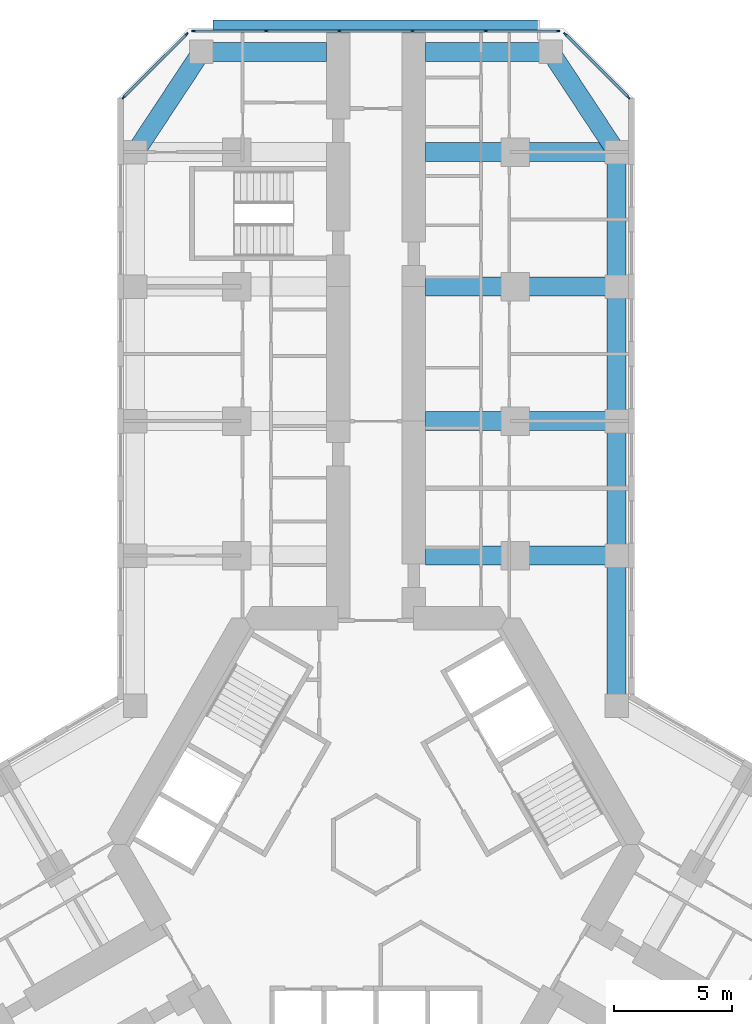
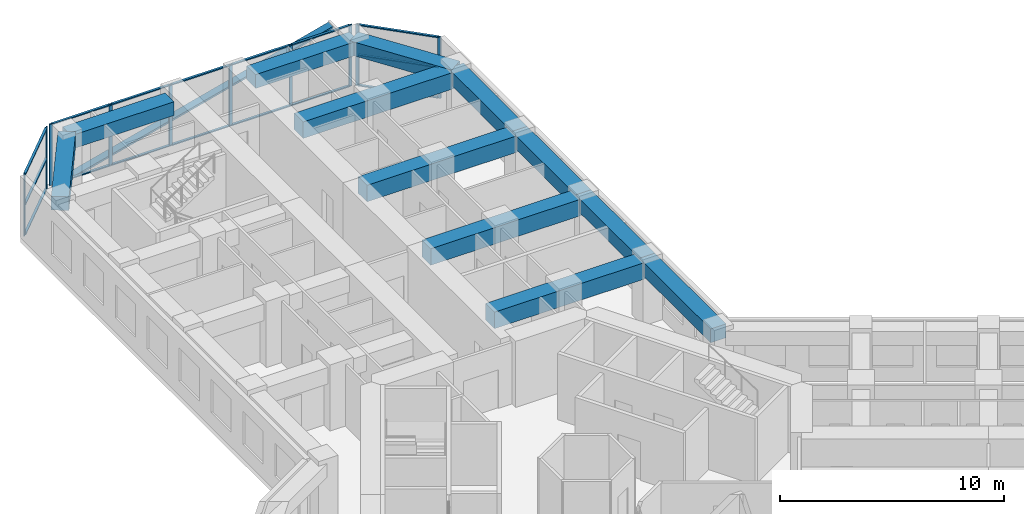
# One storey, part 7 of 21: 27 members, 12 beams, 3 elements without a shape of their own.
"""IFC4 building model written with IfcOpenShell, lengths in metres."""

from ifc_helpers import new_model, si_unit, direction, frame, origin, origin_2d, place, context, subcontext, project, spatial, rectangle, extrude, material, material_profile, profile_set, type_object, element, aggregate, save


model = new_model("IFC4")

# Units and contexts
model_context = context("Model", 3, precision=1e-05, world=origin(), true_north=direction((0.0, 1.0)))
body_context = subcontext(model_context, "Body", "Model", "MODEL_VIEW")
ifc_project = project(units=[si_unit("LENGTHUNIT", "METRE"), si_unit("AREAUNIT", "SQUARE_METRE"), si_unit("VOLUMEUNIT", "CUBIC_METRE"), si_unit("PLANEANGLEUNIT", "RADIAN"), si_unit("MASSUNIT", "GRAM", prefix="KILO")], contexts=[model_context])

# Site, building, storey
site_placement = place(None, origin())
site = spatial("IfcSite", under=ifc_project, at=site_placement, CompositionType="ELEMENT")
building_placement = place(site_placement, origin())
building = spatial("IfcBuilding", under=site, at=building_placement, Name="Kosmar Iwan School Tower", CompositionType="ELEMENT")
storey_placement = place(building_placement, frame((0.0, 0.0, 57.39990234375)))
storey = spatial("IfcBuildingStorey", under=building, at=storey_placement, Name="L13", CompositionType="ELEMENT", Elevation=57.39990234375)

# Member
ifc_material_1 = material(Name="Black anodised aluminium", Category="aluminium")
ifc_material_profile_1 = material_profile(ifc_material_1, rectangle(XDim=0.10009765625, YDim=0.39990234375, at=origin_2d()), Name="FIN 100x400")
ifc_profile_set_1 = profile_set([ifc_material_profile_1], Name="Black anodised aluminium")
member_type_1 = type_object("IfcMemberType", Name="Diagonal fin 100x400", PredefinedType="USERDEFINED", material=ifc_profile_set_1)
member_1_placement = place(storey_placement, frame((-6.898193359375, 34.75, -0.14990234375), z_axis=(0.967599450335, 0.0, 0.252490205179), x_axis=(-0.252490205179, 0.0, 0.967599450335)))
element("IfcMember", 1, at=member_1_placement, inside=storey, type_object=member_type_1, Name="Diagonal fin L13-F08", ObjectType="FIN", PredefinedType="USERDEFINED", context=body_context, shape_type="SweptSolid", body=[
    extrude(rectangle(XDim=0.10009765625, YDim=0.39990234375, at=origin_2d()), origin(), (0.0, 0.0, 1.0), 14.25830078125),
])

# Curtain wall, members
ifc_material_2 = material(Name="Dark glass in black aluminium frame", Category="aluminium")
curtain_wall_type_1 = type_object("IfcCurtainWallType", Name="Chamfer curtain wall dark glass", PredefinedType="USERDEFINED", material=ifc_material_2)
curtain_wall_1_placement = place(storey_placement, origin())
curtain_wall_1 = element("IfcCurtainWall", 2, at=curtain_wall_1_placement, inside=storey, type_object=curtain_wall_type_1, Name="Curtain wall L13-F07", ObjectType="FACETED CURTAIN WALL", PredefinedType="USERDEFINED")
ifc_material_3 = material(Name="Black anodised aluminium", Category="aluminium")
ifc_material_profile_2 = material_profile(ifc_material_3, rectangle(XDim=0.06005859375, YDim=0.159912109375, at=origin_2d()), Name="MULLION 60x160")
ifc_profile_set_2 = profile_set([ifc_material_profile_2], Name="Black anodised aluminium")
member_type_2 = type_object("IfcMemberType", Name="Mullion 60x160", PredefinedType="MULLION", material=ifc_profile_set_2)
member_2_placement = place(storey_placement, frame((10.69775390625, 31.675537109375, 0.0), z_axis=(0.0, 0.0, 1.0), x_axis=(-0.707106781187, -0.707106781187, 0.0)))
member_2 = element("IfcMember", 3, at=member_2_placement, type_object=member_type_2, Name="CW2 mullion 1", PredefinedType="MULLION", context=body_context, shape_type="SweptSolid", body=[
    extrude(rectangle(XDim=0.06005859375, YDim=0.159912109375, at=origin_2d()), origin(), (0.0, 0.0, 1.0), 3.35009765625),
])
member_3_placement = place(storey_placement, frame((8.025390625, 34.34765625, 0.0), z_axis=(0.0, 0.0, 1.0), x_axis=(-0.707106781187, -0.707106781187, 0.0)))
member_3 = element("IfcMember", 4, at=member_3_placement, type_object=member_type_2, Name="CW2 mullion 2", PredefinedType="MULLION", context=body_context, shape_type="SweptSolid", body=[
    extrude(rectangle(XDim=0.06005859375, YDim=0.159912109375, at=origin_2d()), origin(), (0.0, 0.0, 1.0), 3.35009765625),
])

ifc_material_4 = material(Name="Dark glass in black aluminium frame", Category="aluminium")
curtain_wall_type_2 = type_object("IfcCurtainWallType", Name="Tower curtain wall dark glass", PredefinedType="USERDEFINED", material=ifc_material_4)
curtain_wall_2_placement = place(storey_placement, origin())
curtain_wall_2 = element("IfcCurtainWall", 5, at=curtain_wall_2_placement, inside=storey, type_object=curtain_wall_type_2, Name="Curtain wall L13-F08", ObjectType="UNITISED CURTAIN WALL", PredefinedType="USERDEFINED")
member_4_placement = place(storey_placement, frame((7.71826171875, 34.47509765625, 0.0), z_axis=(0.0, 0.0, 1.0), x_axis=(0.0, -1.0, 0.0)))
member_4 = element("IfcMember", 6, at=member_4_placement, type_object=member_type_2, Name="CW1 mullion 1", PredefinedType="MULLION", context=body_context, shape_type="SweptSolid", body=[
    extrude(rectangle(XDim=0.06005859375, YDim=0.159912109375, at=origin_2d()), origin(), (0.0, 0.0, 1.0), 3.35009765625),
])
member_5_placement = place(storey_placement, frame((4.64892578125, 34.47509765625, 0.0), z_axis=(0.0, 0.0, 1.0), x_axis=(0.0, -1.0, 0.0)))
member_5 = element("IfcMember", 7, at=member_5_placement, type_object=member_type_2, Name="CW1 mullion 2", PredefinedType="MULLION", context=body_context, shape_type="SweptSolid", body=[
    extrude(rectangle(XDim=0.06005859375, YDim=0.159912109375, at=origin_2d()), origin(), (0.0, 0.0, 1.0), 3.35009765625),
])
member_6_placement = place(storey_placement, frame((1.549560546875, 34.47509765625, 0.0), z_axis=(0.0, 0.0, 1.0), x_axis=(0.0, -1.0, 0.0)))
member_6 = element("IfcMember", 8, at=member_6_placement, type_object=member_type_2, Name="CW1 mullion 3", PredefinedType="MULLION", context=body_context, shape_type="SweptSolid", body=[
    extrude(rectangle(XDim=0.06005859375, YDim=0.159912109375, at=origin_2d()), origin(), (0.0, 0.0, 1.0), 3.35009765625),
])
member_7_placement = place(storey_placement, frame((-1.549560546875, 34.47509765625, 0.0), z_axis=(0.0, 0.0, 1.0), x_axis=(0.0, -1.0, 0.0)))
member_7 = element("IfcMember", 9, at=member_7_placement, type_object=member_type_2, Name="CW1 mullion 4", PredefinedType="MULLION", context=body_context, shape_type="SweptSolid", body=[
    extrude(rectangle(XDim=0.06005859375, YDim=0.159912109375, at=origin_2d()), origin(), (0.0, 0.0, 1.0), 3.35009765625),
])
member_8_placement = place(storey_placement, frame((-4.64892578125, 34.47509765625, 0.0), z_axis=(0.0, 0.0, 1.0), x_axis=(0.0, -1.0, 0.0)))
member_8 = element("IfcMember", 10, at=member_8_placement, type_object=member_type_2, Name="CW1 mullion 5", PredefinedType="MULLION", context=body_context, shape_type="SweptSolid", body=[
    extrude(rectangle(XDim=0.06005859375, YDim=0.159912109375, at=origin_2d()), origin(), (0.0, 0.0, 1.0), 3.35009765625),
])
member_9_placement = place(storey_placement, frame((-7.71826171875, 34.47509765625, 0.0), z_axis=(0.0, 0.0, 1.0), x_axis=(0.0, -1.0, 0.0)))
member_9 = element("IfcMember", 11, at=member_9_placement, type_object=member_type_2, Name="CW1 mullion 6", PredefinedType="MULLION", context=body_context, shape_type="SweptSolid", body=[
    extrude(rectangle(XDim=0.06005859375, YDim=0.159912109375, at=origin_2d()), origin(), (0.0, 0.0, 1.0), 3.35009765625),
])

curtain_wall_3_placement = place(storey_placement, origin())
curtain_wall_3 = element("IfcCurtainWall", 12, at=curtain_wall_3_placement, inside=storey, type_object=curtain_wall_type_1, Name="Curtain wall L13-F09", ObjectType="FACETED CURTAIN WALL", PredefinedType="USERDEFINED")
member_10_placement = place(storey_placement, frame((-8.025390625, 34.34765625, 0.0), z_axis=(0.0, 0.0, 1.0), x_axis=(0.707106781187, -0.707106781187, 0.0)))
member_10 = element("IfcMember", 13, at=member_10_placement, type_object=member_type_2, Name="CW2 mullion 1", PredefinedType="MULLION", context=body_context, shape_type="SweptSolid", body=[
    extrude(rectangle(XDim=0.06005859375, YDim=0.159912109375, at=origin_2d()), origin(), (0.0, 0.0, 1.0), 3.35009765625),
])
member_11_placement = place(storey_placement, frame((-10.69775390625, 31.675537109375, 0.0), z_axis=(0.0, 0.0, 1.0), x_axis=(0.707106781187, -0.707106781187, 0.0)))
member_11 = element("IfcMember", 14, at=member_11_placement, type_object=member_type_2, Name="CW2 mullion 2", PredefinedType="MULLION", context=body_context, shape_type="SweptSolid", body=[
    extrude(rectangle(XDim=0.06005859375, YDim=0.159912109375, at=origin_2d()), origin(), (0.0, 0.0, 1.0), 3.35009765625),
])

# Beams
ifc_material_5 = material(Name="Concrete C50/60", Category="concrete")
ifc_material_profile_3 = material_profile(ifc_material_5, rectangle(XDim=0.800048828125, YDim=0.75, at=origin_2d()), Name="RC 800x750")
ifc_profile_set_3 = profile_set([ifc_material_profile_3], Name="Concrete C50/60")
beam_type_1 = type_object("IfcBeamType", Name="RC edge beam 800x750", PredefinedType="BEAM", material=ifc_profile_set_3)
beam_1_placement = place(storey_placement, frame((10.199951171875, 5.888916015625, 2.97509765625), z_axis=(0.0, 1.0, 0.0), x_axis=(-1.0, 0.0, 0.0)))
element("IfcBeam", 15, at=beam_1_placement, inside=storey, type_object=beam_type_1, Name="Edge beam AR1", PredefinedType="BEAM", context=body_context, shape_type="SweptSolid", body=[
    extrude(rectangle(XDim=0.800048828125, YDim=0.75, at=origin_2d()), origin(), (0.0, 0.0, 1.0), 6.361083984375),
])
for number, where, z_axis, x_axis, name in (
    (16, (10.199951171875, 12.25, 2.97509765625), (0.0, 1.0, 0.0), (-1.0, 0.0, 0.0), "Edge beam AR2"),
    (17, (10.199951171875, 17.949951171875, 2.97509765625), (0.0, 1.0, 0.0), (-1.0, 0.0, 0.0), "Edge beam AR3"),
):
    element("IfcBeam", number, at=place(storey_placement, frame(where, z_axis=z_axis, x_axis=x_axis)), inside=storey, type_object=beam_type_1, Name=name, PredefinedType="BEAM", context=body_context, shape_type="SweptSolid", body=[
        extrude(rectangle(XDim=0.800048828125, YDim=0.75, at=origin_2d()), origin(), (0.0, 0.0, 1.0), 5.699951171875),
    ])
beam_2_placement = place(storey_placement, frame((10.199951171875, 23.64990234375, 2.97509765625), z_axis=(0.0, 1.0, 0.0), x_axis=(-1.0, 0.0, 0.0)))
element("IfcBeam", 18, at=beam_2_placement, inside=storey, type_object=beam_type_1, Name="Edge beam AR4", PredefinedType="BEAM", context=body_context, shape_type="SweptSolid", body=[
    extrude(rectangle(XDim=0.800048828125, YDim=0.75, at=origin_2d()), origin(), (0.0, 0.0, 1.0), 5.7001953125),
])
ifc_material_6 = material(Name="Concrete C50/60", Category="concrete")
ifc_material_profile_4 = material_profile(ifc_material_6, rectangle(XDim=0.800048828125, YDim=0.75, at=origin_2d()), Name="RC 800x750")
ifc_profile_set_4 = profile_set([ifc_material_profile_4], Name="Concrete C50/60")
beam_type_2 = type_object("IfcBeamType", Name="RC tip beam 800x750", PredefinedType="BEAM", material=ifc_profile_set_4)
beam_3_placement = place(storey_placement, frame((-10.199951171875, 29.35009765625, 2.97509765625), z_axis=(0.550164383043, 0.835056376319, 0.0), x_axis=(-0.835056376319, 0.550164383043, 0.0)))
element("IfcBeam", 19, at=beam_3_placement, inside=storey, type_object=beam_type_2, Name="Tip beam AL", PredefinedType="BEAM", context=body_context, shape_type="SweptSolid", body=[
    extrude(rectangle(XDim=0.800048828125, YDim=0.75, at=origin_2d()), origin(), (0.0, 0.0, 1.0), 5.08935546875),
])
beam_4_placement = place(storey_placement, frame((-7.39990234375, 33.60009765625, 2.97509765625), z_axis=(1.0, 0.0, 0.0), x_axis=(0.0, 1.0, 0.0)))
element("IfcBeam", 20, at=beam_4_placement, inside=storey, type_object=beam_type_2, Name="Tip beam AL to corridor wall", PredefinedType="BEAM", context=body_context, shape_type="SweptSolid", body=[
    extrude(rectangle(XDim=0.800048828125, YDim=0.75, at=origin_2d()), origin(), (0.0, 0.0, 1.0), 5.2998046875),
])
beam_5_placement = place(storey_placement, frame((10.199951171875, 29.35009765625, 2.97509765625), z_axis=(-0.550164383043, 0.835056376319, 0.0), x_axis=(-0.835056376319, -0.550164383043, 0.0)))
element("IfcBeam", 21, at=beam_5_placement, inside=storey, type_object=beam_type_2, Name="Tip beam AR", PredefinedType="BEAM", context=body_context, shape_type="SweptSolid", body=[
    extrude(rectangle(XDim=0.800048828125, YDim=0.75, at=origin_2d()), origin(), (0.0, 0.0, 1.0), 5.08935546875),
])
beam_6_placement = place(storey_placement, frame((7.39990234375, 33.60009765625, 2.97509765625), z_axis=(-1.0, 0.0, 0.0), x_axis=(0.0, -1.0, 0.0)))
element("IfcBeam", 22, at=beam_6_placement, inside=storey, type_object=beam_type_2, Name="Tip beam AR to corridor wall", PredefinedType="BEAM", context=body_context, shape_type="SweptSolid", body=[
    extrude(rectangle(XDim=0.800048828125, YDim=0.75, at=origin_2d()), origin(), (0.0, 0.0, 1.0), 5.2998046875),
])
ifc_material_7 = material(Name="Concrete C50/60", Category="concrete")
ifc_material_profile_5 = material_profile(ifc_material_7, rectangle(XDim=0.800048828125, YDim=0.89990234375, at=origin_2d()), Name="RC 800x900")
ifc_profile_set_5 = profile_set([ifc_material_profile_5], Name="Concrete C50/60")
beam_type_3 = type_object("IfcBeamType", Name="RC transverse beam 800x900", PredefinedType="BEAM", material=ifc_profile_set_5)
for number, where, z_axis, x_axis, name in (
    (23, (10.199951171875, 12.25, 2.900146484375), (-1.0, 0.0, 0.0), (0.0, -1.0, 0.0), "Transverse beam AR1"),
    (24, (10.199951171875, 17.949951171875, 2.900146484375), (-1.0, 0.0, 0.0), (0.0, -1.0, 0.0), "Transverse beam AR2"),
    (25, (10.199951171875, 23.64990234375, 2.900146484375), (-1.0, 0.0, 0.0), (0.0, -1.0, 0.0), "Transverse beam AR3"),
    (26, (10.199951171875, 29.35009765625, 2.900146484375), (-1.0, 0.0, 0.0), (0.0, -1.0, 0.0), "Transverse beam AR4"),
):
    element("IfcBeam", number, at=place(storey_placement, frame(where, z_axis=z_axis, x_axis=x_axis)), inside=storey, type_object=beam_type_3, Name=name, PredefinedType="BEAM", context=body_context, shape_type="SweptSolid", body=[
        extrude(rectangle(XDim=0.800048828125, YDim=0.89990234375, at=origin_2d()), origin(), (0.0, 0.0, 1.0), 8.099853515625),
    ])

# Member
ifc_material_8 = material(Name="Black anodised aluminium", Category="aluminium")
ifc_material_profile_6 = material_profile(ifc_material_8, rectangle(XDim=0.1201171875, YDim=0.06005859375, at=origin_2d()), Name="TRANSOM 60x120")
ifc_profile_set_6 = profile_set([ifc_material_profile_6], Name="Black anodised aluminium")
member_type_3 = type_object("IfcMemberType", Name="Transom 60x120", PredefinedType="USERDEFINED", material=ifc_profile_set_6)
member_12_placement = place(storey_placement, frame((10.676513671875, 31.69677734375, 0.030029296875), z_axis=(-0.707139603466, 0.707073957383, 0.0), x_axis=(-0.707073957383, -0.707139603466, 0.0)))
member_12 = element("IfcMember", 27, at=member_12_placement, type_object=member_type_3, Name="CW2 transom 1.1", ObjectType="TRANSOM", PredefinedType="USERDEFINED", context=body_context, shape_type="SweptSolid", body=[
    extrude(rectangle(XDim=0.1201171875, YDim=0.06005859375, at=origin_2d()), origin(), (0.0, 0.0, 1.0), 3.718994140625),
])

member_13_placement = place(storey_placement, frame((10.676513671875, 31.69677734375, 1.675048828125), z_axis=(-0.707139603466, 0.707073957383, 0.0), x_axis=(-0.707073957383, -0.707139603466, 0.0)))
member_13 = element("IfcMember", 28, at=member_13_placement, type_object=member_type_3, Name="CW2 transom 1.2", ObjectType="TRANSOM", PredefinedType="USERDEFINED", context=body_context, shape_type="SweptSolid", body=[
    extrude(rectangle(XDim=0.1201171875, YDim=0.06005859375, at=origin_2d()), origin(), (0.0, 0.0, 1.0), 3.718994140625),
])

member_14_placement = place(storey_placement, frame((10.676513671875, 31.69677734375, 3.320068359375), z_axis=(-0.707139603466, 0.707073957383, 0.0), x_axis=(-0.707073957383, -0.707139603466, 0.0)))
member_14 = element("IfcMember", 29, at=member_14_placement, type_object=member_type_3, Name="CW2 transom 1.3", ObjectType="TRANSOM", PredefinedType="USERDEFINED", context=body_context, shape_type="SweptSolid", body=[
    extrude(rectangle(XDim=0.1201171875, YDim=0.06005859375, at=origin_2d()), origin(), (0.0, 0.0, 1.0), 3.718994140625),
])

aggregate(curtain_wall_1, [member_2, member_3, member_12, member_13, member_14])

member_15_placement = place(storey_placement, frame((7.688232421875, 34.47509765625, 0.030029296875), z_axis=(-1.0, 0.0, 0.0), x_axis=(0.0, -1.0, 0.0)))
member_15 = element("IfcMember", 30, at=member_15_placement, type_object=member_type_3, Name="CW1 transom 1.1", ObjectType="TRANSOM", PredefinedType="USERDEFINED", context=body_context, shape_type="SweptSolid", body=[
    extrude(rectangle(XDim=0.1201171875, YDim=0.06005859375, at=origin_2d()), origin(), (0.0, 0.0, 1.0), 3.00927734375),
])

member_16_placement = place(storey_placement, frame((7.688232421875, 34.47509765625, 3.320068359375), z_axis=(-1.0, 0.0, 0.0), x_axis=(0.0, -1.0, 0.0)))
member_16 = element("IfcMember", 31, at=member_16_placement, type_object=member_type_3, Name="CW1 transom 1.2", ObjectType="TRANSOM", PredefinedType="USERDEFINED", context=body_context, shape_type="SweptSolid", body=[
    extrude(rectangle(XDim=0.1201171875, YDim=0.06005859375, at=origin_2d()), origin(), (0.0, 0.0, 1.0), 3.00927734375),
])

member_17_placement = place(storey_placement, frame((4.618896484375, 34.47509765625, 0.030029296875), z_axis=(-1.0, 0.0, 0.0), x_axis=(0.0, -1.0, 0.0)))
member_17 = element("IfcMember", 32, at=member_17_placement, type_object=member_type_3, Name="CW1 transom 2.1", ObjectType="TRANSOM", PredefinedType="USERDEFINED", context=body_context, shape_type="SweptSolid", body=[
    extrude(rectangle(XDim=0.1201171875, YDim=0.06005859375, at=origin_2d()), origin(), (0.0, 0.0, 1.0), 3.039306640625),
])

member_18_placement = place(storey_placement, frame((4.618896484375, 34.47509765625, 3.320068359375), z_axis=(-1.0, 0.0, 0.0), x_axis=(0.0, -1.0, 0.0)))
member_18 = element("IfcMember", 33, at=member_18_placement, type_object=member_type_3, Name="CW1 transom 2.2", ObjectType="TRANSOM", PredefinedType="USERDEFINED", context=body_context, shape_type="SweptSolid", body=[
    extrude(rectangle(XDim=0.1201171875, YDim=0.06005859375, at=origin_2d()), origin(), (0.0, 0.0, 1.0), 3.039306640625),
])

member_19_placement = place(storey_placement, frame((1.51953125, 34.47509765625, 0.030029296875), z_axis=(-1.0, 0.0, 0.0), x_axis=(0.0, -1.0, 0.0)))
member_19 = element("IfcMember", 34, at=member_19_placement, type_object=member_type_3, Name="CW1 transom 3.1", ObjectType="TRANSOM", PredefinedType="USERDEFINED", context=body_context, shape_type="SweptSolid", body=[
    extrude(rectangle(XDim=0.1201171875, YDim=0.06005859375, at=origin_2d()), origin(), (0.0, 0.0, 1.0), 3.0390625),
])

member_20_placement = place(storey_placement, frame((1.51953125, 34.47509765625, 3.320068359375), z_axis=(-1.0, 0.0, 0.0), x_axis=(0.0, -1.0, 0.0)))
member_20 = element("IfcMember", 35, at=member_20_placement, type_object=member_type_3, Name="CW1 transom 3.2", ObjectType="TRANSOM", PredefinedType="USERDEFINED", context=body_context, shape_type="SweptSolid", body=[
    extrude(rectangle(XDim=0.1201171875, YDim=0.06005859375, at=origin_2d()), origin(), (0.0, 0.0, 1.0), 3.0390625),
])

member_21_placement = place(storey_placement, frame((-1.57958984375, 34.47509765625, 0.030029296875), z_axis=(-1.0, 0.0, 0.0), x_axis=(0.0, -1.0, 0.0)))
member_21 = element("IfcMember", 36, at=member_21_placement, type_object=member_type_3, Name="CW1 transom 4.1", ObjectType="TRANSOM", PredefinedType="USERDEFINED", context=body_context, shape_type="SweptSolid", body=[
    extrude(rectangle(XDim=0.1201171875, YDim=0.06005859375, at=origin_2d()), origin(), (0.0, 0.0, 1.0), 3.039306640625),
])

member_22_placement = place(storey_placement, frame((-1.57958984375, 34.47509765625, 3.320068359375), z_axis=(-1.0, 0.0, 0.0), x_axis=(0.0, -1.0, 0.0)))
member_22 = element("IfcMember", 37, at=member_22_placement, type_object=member_type_3, Name="CW1 transom 4.2", ObjectType="TRANSOM", PredefinedType="USERDEFINED", context=body_context, shape_type="SweptSolid", body=[
    extrude(rectangle(XDim=0.1201171875, YDim=0.06005859375, at=origin_2d()), origin(), (0.0, 0.0, 1.0), 3.039306640625),
])

member_23_placement = place(storey_placement, frame((-4.678955078125, 34.47509765625, 0.030029296875), z_axis=(-1.0, 0.0, 0.0), x_axis=(0.0, -1.0, 0.0)))
member_23 = element("IfcMember", 38, at=member_23_placement, type_object=member_type_3, Name="CW1 transom 5.1", ObjectType="TRANSOM", PredefinedType="USERDEFINED", context=body_context, shape_type="SweptSolid", body=[
    extrude(rectangle(XDim=0.1201171875, YDim=0.06005859375, at=origin_2d()), origin(), (0.0, 0.0, 1.0), 3.00927734375),
])

member_24_placement = place(storey_placement, frame((-4.678955078125, 34.47509765625, 3.320068359375), z_axis=(-1.0, 0.0, 0.0), x_axis=(0.0, -1.0, 0.0)))
member_24 = element("IfcMember", 39, at=member_24_placement, type_object=member_type_3, Name="CW1 transom 5.2", ObjectType="TRANSOM", PredefinedType="USERDEFINED", context=body_context, shape_type="SweptSolid", body=[
    extrude(rectangle(XDim=0.1201171875, YDim=0.06005859375, at=origin_2d()), origin(), (0.0, 0.0, 1.0), 3.00927734375),
])

aggregate(curtain_wall_2, [member_4, member_5, member_6, member_7, member_8, member_9, member_15, member_16, member_17, member_18, member_19, member_20, member_21, member_22, member_23, member_24])

member_25_placement = place(storey_placement, frame((-8.046630859375, 34.326416015625, 0.030029296875), z_axis=(-0.707139603466, -0.707073957383, 0.0), x_axis=(0.707073957383, -0.707139603466, 0.0)))
member_25 = element("IfcMember", 40, at=member_25_placement, type_object=member_type_3, Name="CW2 transom 1.1", ObjectType="TRANSOM", PredefinedType="USERDEFINED", context=body_context, shape_type="SweptSolid", body=[
    extrude(rectangle(XDim=0.1201171875, YDim=0.06005859375, at=origin_2d()), origin(), (0.0, 0.0, 1.0), 3.718994140625),
])

member_26_placement = place(storey_placement, frame((-8.046630859375, 34.326416015625, 1.675048828125), z_axis=(-0.707139603466, -0.707073957383, 0.0), x_axis=(0.707073957383, -0.707139603466, 0.0)))
member_26 = element("IfcMember", 41, at=member_26_placement, type_object=member_type_3, Name="CW2 transom 1.2", ObjectType="TRANSOM", PredefinedType="USERDEFINED", context=body_context, shape_type="SweptSolid", body=[
    extrude(rectangle(XDim=0.1201171875, YDim=0.06005859375, at=origin_2d()), origin(), (0.0, 0.0, 1.0), 3.718994140625),
])

member_27_placement = place(storey_placement, frame((-8.046630859375, 34.326416015625, 3.320068359375), z_axis=(-0.707139603466, -0.707073957383, 0.0), x_axis=(0.707073957383, -0.707139603466, 0.0)))
member_27 = element("IfcMember", 42, at=member_27_placement, type_object=member_type_3, Name="CW2 transom 1.3", ObjectType="TRANSOM", PredefinedType="USERDEFINED", context=body_context, shape_type="SweptSolid", body=[
    extrude(rectangle(XDim=0.1201171875, YDim=0.06005859375, at=origin_2d()), origin(), (0.0, 0.0, 1.0), 3.718994140625),
])

aggregate(curtain_wall_3, [member_10, member_11, member_25, member_26, member_27])

save(model, "model.ifc")
